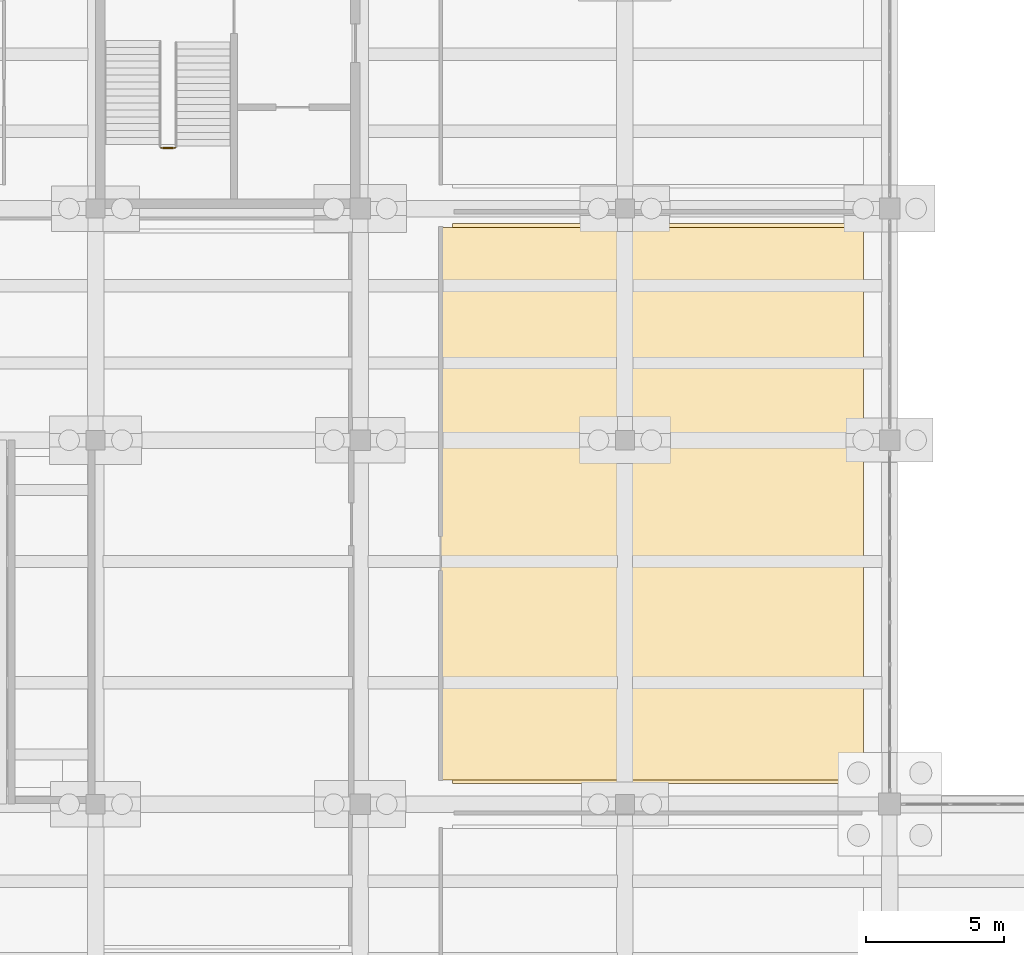
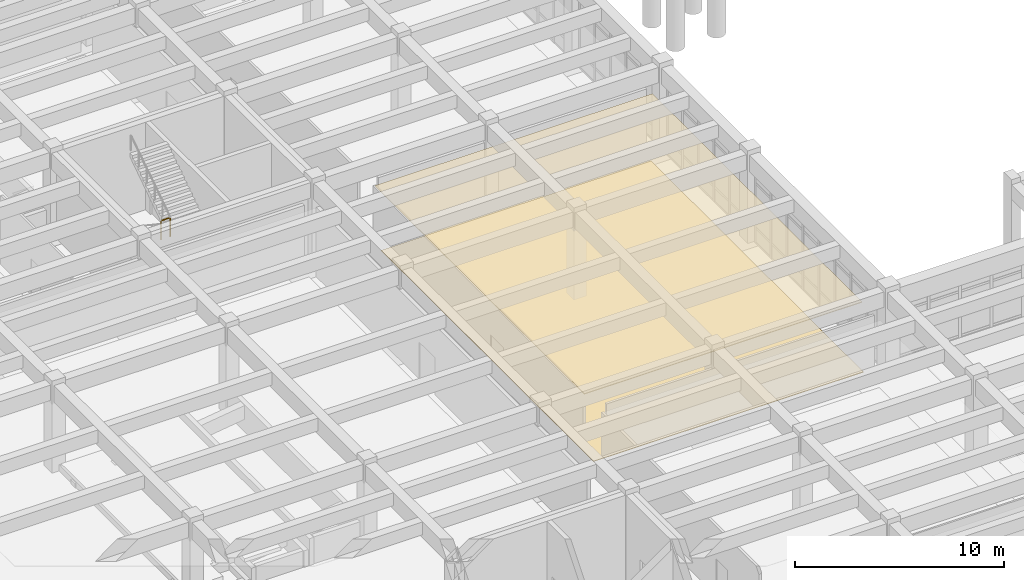
# One storey, part 90 of 102: 2 coverings, 1 railing.
"""IFC4 building model written with IfcOpenShell, lengths in metres."""

from ifc_helpers import new_model, si_unit, direction, frame, origin, origin_2d, place, context, subcontext, project, spatial, polyline, circle, outline, extrude, material, layer, layer_set, type_object, element, save


model = new_model("IFC4")

# Units and contexts
model_context = context("Model", 3, precision=1e-05, world=origin(), true_north=direction((0.0, 1.0)))
body_context = subcontext(model_context, "Body", "Model", "MODEL_VIEW")
ifc_project = project(units=[si_unit("LENGTHUNIT", "METRE"), si_unit("AREAUNIT", "SQUARE_METRE"), si_unit("VOLUMEUNIT", "CUBIC_METRE"), si_unit("PLANEANGLEUNIT", "RADIAN"), si_unit("MASSUNIT", "GRAM", prefix="KILO")], contexts=[model_context])

# Site, building, storey
site_placement = place(None, origin())
site = spatial("IfcSite", under=ifc_project, at=site_placement, CompositionType="ELEMENT")
building_placement = place(site_placement, origin())
building = spatial("IfcBuilding", under=site, at=building_placement, Name="Kolvemor Railside Polytechnic", CompositionType="ELEMENT")
storey_placement = place(building_placement, origin())
storey = spatial("IfcBuildingStorey", under=building, at=storey_placement, Name="L00", CompositionType="ELEMENT", Elevation=0.0)

# Coverings
ifc_material_1 = material(Name="Perforated acoustic mineral-fibre and timber-slat ceiling", Category="wood")
ifc_layer_1 = layer(ifc_material_1, 0.0400390625, Name="COV-CEIL-4")
ifc_layer_set_1 = layer_set([ifc_layer_1], Name="Perforated acoustic mineral-fibre and timber-slat ceiling")
covering_type_1 = type_object("IfcCoveringType", Name="COV-CEIL-4", PredefinedType="CEILING", material=ifc_layer_set_1)
covering_1_placement = place(storey_placement, frame((0.0, 0.0, 4.0)))
element("IfcCovering", 1, at=covering_1_placement, inside=storey, type_object=covering_type_1, Name="Hydraulics and Coastal Flume Laboratory Acoustic Ceiling", PredefinedType="CEILING", context=body_context, shape_type="SweptSolid", body=[
    extrude(outline(polyline([(31.719970703125, 39.280029296875), (47.050048828125, 39.280029296875), (47.050048828125, 59.320068359375), (31.719970703125, 59.320068359375), (31.719970703125, 39.280029296875)])), origin(), (0.0, 0.0, 1.0), 0.0400390625),
])
ifc_material_2 = material(Name="Polished coral-aggregate terrazzo and laboratory epoxy flooring")
ifc_layer_2 = layer(ifc_material_2, 0.034912109375, Name="COV-FLR-4")
ifc_layer_set_2 = layer_set([ifc_layer_2], Name="Polished coral-aggregate terrazzo and laboratory epoxy flooring")
covering_type_2 = type_object("IfcCoveringType", Name="COV-FLR-4", PredefinedType="FLOORING", material=ifc_layer_set_2)
covering_2_placement = place(storey_placement, origin())
element("IfcCovering", 2, at=covering_2_placement, inside=storey, type_object=covering_type_2, Name="Hydraulics and Coastal Flume Laboratory Floor Finish", PredefinedType="FLOORING", context=body_context, shape_type="SweptSolid", body=[
    extrude(outline(polyline([(32.14990234375, 39.14990234375), (47.050048828125, 39.14990234375), (47.050048828125, 59.449951171875), (32.14990234375, 59.449951171875), (32.14990234375, 39.14990234375)])), origin(), (0.0, 0.0, 1.0), 0.034912109375),
])

# Railing
ifc_material_3 = material(Name="AISI 316 marine stainless-steel balustrade guard", Category="steel")
railing_type = type_object("IfcRailingType", Name="RLG-GUARD-1120", PredefinedType="BALUSTRADE", material=ifc_material_3)
railing_placement = place(storey_placement, frame((21.580078125, 62.199951171875, 2.699951171875)))
element("IfcRailing", 3, at=railing_placement, inside=storey, type_object=railing_type, Name="ST-5 Half-Landing Slot Guard L00", PredefinedType="BALUSTRADE", context=body_context, shape_type="SweptSolid", body=[
    extrude(circle(Radius=0.02392578125, at=origin_2d()), frame((0.054931640625, 0.0, 1.09619140625), z_axis=(1.0, 0.0, 0.0), x_axis=(0.0, 1.0, 0.0)), (0.0, 0.0, 1.0), 0.389892578125),
    extrude(circle(Radius=0.02099609375, at=origin_2d()), origin(), (0.0, 0.0, 1.0), 1.05712890625),
    extrude(circle(Radius=0.02099609375, at=origin_2d()), frame((0.5, 0.0, 0.0)), (0.0, 0.0, 1.0), 1.05712890625),
])

save(model, "model.ifc")
